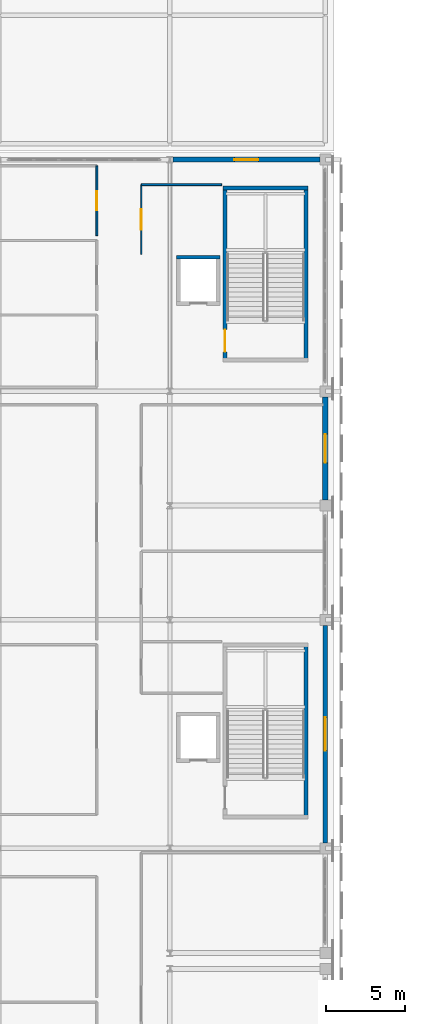
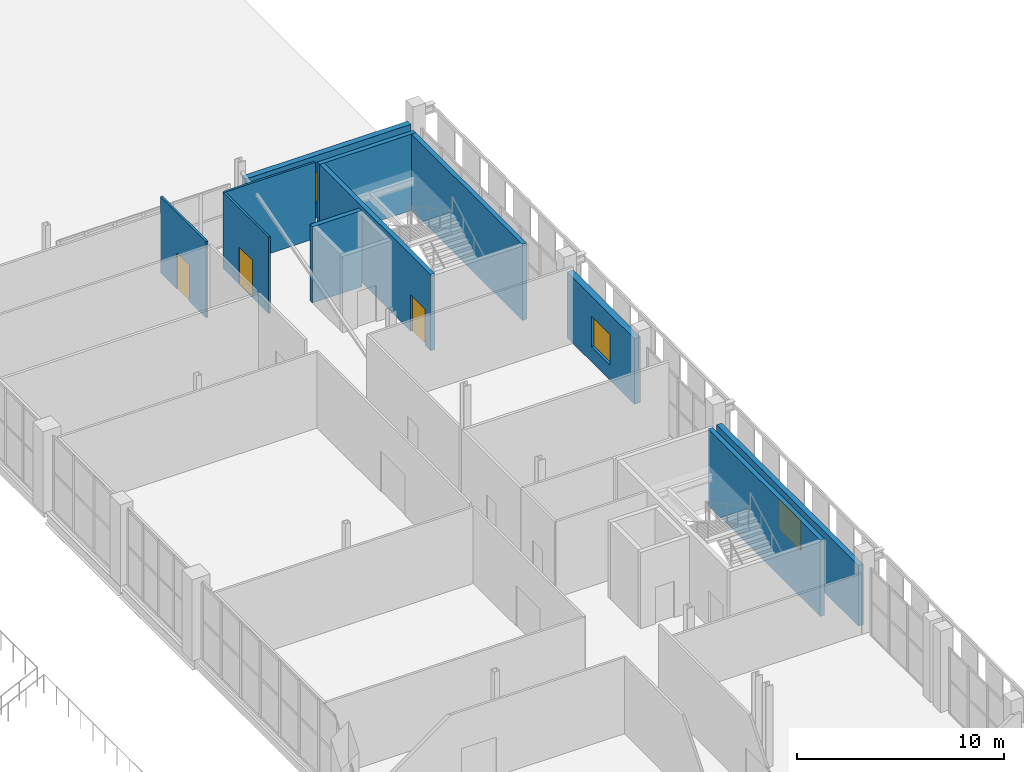
# One storey, part 72 of 104: 11 walls, 3 doors, 3 windows, 6 openings.
"""IFC4 building model written with IfcOpenShell, lengths in metres."""

from ifc_helpers import new_model, si_unit, direction, frame, frame_2d, origin, place, context, subcontext, project, spatial, rectangle, extrude, material, layer, layer_set, type_object, element, fill, save


model = new_model("IFC4")

# Units and contexts
model_context = context("Model", 3, precision=1e-05, world=origin(), true_north=direction((0.0, 1.0)))
body_context = subcontext(model_context, "Body", "Model", "MODEL_VIEW")
ifc_project = project(units=[si_unit("LENGTHUNIT", "METRE"), si_unit("AREAUNIT", "SQUARE_METRE"), si_unit("VOLUMEUNIT", "CUBIC_METRE"), si_unit("PLANEANGLEUNIT", "RADIAN"), si_unit("MASSUNIT", "GRAM", prefix="KILO")], contexts=[model_context])

# Site, building, storey
site_placement = place(None, origin())
site = spatial("IfcSite", under=ifc_project, at=site_placement, CompositionType="ELEMENT")
building_placement = place(site_placement, origin())
building = spatial("IfcBuilding", under=site, at=building_placement, Name="Koshinbarg Plaza Stadium", CompositionType="ELEMENT")
storey_placement = place(building_placement, frame((0.0, 0.0, 19.800048828125)))
storey = spatial("IfcBuildingStorey", under=building, at=storey_placement, Name="L04", CompositionType="ELEMENT", Elevation=19.800048828125)

# Walls
ifc_material_1 = material(Name="Concrete C40/50", Category="concrete")
ifc_layer_1 = layer(ifc_material_1, 0.25)
ifc_layer_set_1 = layer_set([ifc_layer_1], Name="Concrete C40/50")
wall_type_1 = type_object("IfcWallType", Name="WL-CORE-250", PredefinedType="SHEAR", material=ifc_layer_set_1)
wall_1_placement = place(storey_placement, frame((217.195068359375, 85.074951171875, 0.0), z_axis=(0.0, 0.0, 1.0), x_axis=(0.0, 1.0, 0.0)))
element("IfcWall", 1, at=wall_1_placement, inside=storey, type_object=wall_type_1, Name="L04 core stair shear wall C09-right IWL-L04-0229", PredefinedType="SHEAR", context=body_context, shape_type="SweptSolid", body=[
    extrude(rectangle(XDim=10.85009765625, YDim=0.25, at=frame_2d((5.425048828125, 0.0))), origin(), (0.0, 0.0, 1.0), 4.5),
])
wall_2_placement = place(storey_placement, frame((217.320068359375, 124.72509765625, 0.0), z_axis=(0.0, 0.0, 1.0), x_axis=(-1.0, 0.0, 0.0)))
element("IfcWall", 2, at=wall_2_placement, inside=storey, type_object=wall_type_1, Name="L04 core stair shear wall C10-far IWL-L04-0251", PredefinedType="SHEAR", context=body_context, shape_type="SweptSolid", body=[
    extrude(rectangle(XDim=5.3701171875, YDim=0.25, at=frame_2d((2.68505859375, 0.0))), origin(), (0.0, 0.0, 1.0), 4.5),
])

# Wall, opening, door
wall_3_placement = place(storey_placement, frame((212.074951171875, 113.875, 0.0), z_axis=(0.0, 0.0, 1.0), x_axis=(0.0, 1.0, 0.0)))
wall_3 = element("IfcWall", 3, at=wall_3_placement, inside=storey, type_object=wall_type_1, Name="L04 core stair shear wall C10-left IWL-L04-0252", PredefinedType="SHEAR", context=body_context, shape_type="SweptSolid", body=[
    extrude(rectangle(XDim=10.85009765625, YDim=0.25, at=frame_2d((5.425048828125, 0.0))), origin(), (0.0, 0.0, 1.0), 4.5),
])
opening_1_placement = place(wall_3_placement, frame((0.52001953125, 0.0, 0.0)))
opening_1 = element("IfcOpeningElement", 4, at=opening_1_placement, cuts=wall_3, Name="Opening D-0125", PredefinedType="OPENING", context=body_context, shape_type="SweptSolid", body=[
    extrude(rectangle(XDim=1.39990234375, YDim=2.14990234375, at=frame_2d((0.699951171875, 1.074951171875))), frame((0.0, 0.135009765625, 0.0), z_axis=(0.0, -1.0, 0.0), x_axis=(1.0, 0.0, 0.0)), (0.0, 0.0, 1.0), 0.27001953125),
])
ifc_material_2 = material(Name="Painted galvanized steel fire door", Category="steel")
door_type_1 = type_object("IfcDoorType", Name="DR-STAIR-1400", OperationType="NOTDEFINED", PredefinedType="DOOR", material=ifc_material_2)
door_1_placement = place(opening_1_placement, frame((1.39990234375, 0.0, 0.0), z_axis=(0.0, 0.0, 1.0), x_axis=(-1.0, 0.0, 0.0)))
door_1 = element("IfcDoor", 5, at=door_1_placement, inside=storey, type_object=door_type_1, Name="L04 exit stair door C10", OperationType="SINGLE_SWING_LEFT", OverallHeight=2.14990234375, OverallWidth=1.39990234375, PredefinedType="DOOR", context=body_context, shape_type="SweptSolid", body=[
    extrude(rectangle(XDim=1.39990234375, YDim=2.14990234375, at=frame_2d((0.699951171875, 1.074951171875))), frame((0.0, 0.02490234375, 0.0), z_axis=(0.0, -1.0, 0.0), x_axis=(1.0, 0.0, 0.0)), (0.0, 0.0, 1.0), 0.050048828125),
])
fill(opening_1, door_1)

# Walls
wall_4_placement = place(storey_placement, frame((217.195068359375, 113.875, 0.0), z_axis=(0.0, 0.0, 1.0), x_axis=(0.0, 1.0, 0.0)))
element("IfcWall", 6, at=wall_4_placement, inside=storey, type_object=wall_type_1, Name="L04 core stair shear wall C10-right IWL-L04-0253", PredefinedType="SHEAR", context=body_context, shape_type="SweptSolid", body=[
    extrude(rectangle(XDim=10.85009765625, YDim=0.25, at=frame_2d((5.425048828125, 0.0))), origin(), (0.0, 0.0, 1.0), 4.5),
])
wall_5_placement = place(storey_placement, frame((211.77490234375, 120.35009765625, 0.0), z_axis=(0.0, 0.0, 1.0), x_axis=(-1.0, 0.0, 0.0)))
element("IfcWall", 7, at=wall_5_placement, inside=storey, type_object=wall_type_1, Name="L04 lift shaft shear wall LP06-N IWL-L04-0951", PredefinedType="SHEAR", context=body_context, shape_type="SweptSolid", body=[
    extrude(rectangle(XDim=2.75, YDim=0.25, at=frame_2d((1.375, 0.0))), origin(), (0.0, 0.0, 1.0), 4.5),
])

# Wall, opening, window
ifc_material_3 = material(Name="Terracotta-ochre mineral plaster insulated wall", Category="masonry")
ifc_layer_2 = layer(ifc_material_3, 0.280029296875)
ifc_layer_set_2 = layer_set([ifc_layer_2], Name="Terracotta-ochre mineral plaster insulated wall")
wall_type_2 = type_object("IfcWallType", Name="WL-EXT-280", PredefinedType="SOLIDWALL", material=ifc_layer_set_2)
wall_6_placement = place(storey_placement, frame((218.39990234375, 97.155029296875, 0.0), z_axis=(0.0, 0.0, 1.0), x_axis=(0.0, -1.0, 0.0)))
wall_6 = element("IfcWall", 8, at=wall_6_placement, inside=storey, type_object=wall_type_2, Name="L04 exterior envelope wall EWL-L04-0212", PredefinedType="SOLIDWALL", context=body_context, shape_type="SweptSolid", body=[
    extrude(rectangle(XDim=13.7099609375, YDim=0.280029296875, at=frame_2d((6.85498046875, 0.0))), origin(), (0.0, 0.0, 1.0), 3.579833984375),
])
opening_2_placement = place(wall_6_placement, frame((5.804931640625, 0.0, 0.89990234375)))
opening_2 = element("IfcOpeningElement", 9, at=opening_2_placement, cuts=wall_6, Name="Opening WN10", PredefinedType="OPENING", context=body_context, shape_type="SweptSolid", body=[
    extrude(rectangle(XDim=2.10009765625, YDim=1.800048828125, at=frame_2d((1.050048828125, 0.89990234375))), frame((0.0, 0.14990234375, 0.0), z_axis=(0.0, -1.0, 0.0), x_axis=(1.0, 0.0, 0.0)), (0.0, 0.0, 1.0), 0.300048828125),
])
ifc_material_4 = material(Name="Solar-control double glazing in thermally broken aluminium frame", Category="aluminium")
window_type_1 = type_object("IfcWindowType", Name="WN-FAC-10", PartitioningType="DOUBLE_PANEL_VERTICAL", PredefinedType="WINDOW", material=ifc_material_4)
window_1_placement = place(opening_2_placement, origin())
window_1 = element("IfcWindow", 10, at=window_1_placement, inside=storey, type_object=window_type_1, Name="L04 facade window 0144", OverallHeight=1.800048828125, OverallWidth=2.10009765625, PartitioningType="SINGLE_PANEL", PredefinedType="WINDOW", context=body_context, shape_type="SweptSolid", body=[
    extrude(rectangle(XDim=2.10009765625, YDim=1.800048828125, at=frame_2d((1.050048828125, 0.89990234375))), frame((0.0, 0.030029296875, 0.0), z_axis=(0.0, -1.0, 0.0), x_axis=(1.0, 0.0, 0.0)), (0.0, 0.0, 1.0), 0.06005859375),
])
fill(opening_2, window_1)

ifc_material_5 = material(Name="Ultramarine-blue pigmented mineral plaster facade wall", Category="masonry")
ifc_layer_3 = layer(ifc_material_5, 0.320068359375)
ifc_layer_set_3 = layer_set([ifc_layer_3], Name="Ultramarine-blue pigmented mineral plaster facade wall")
wall_type_3 = type_object("IfcWallType", Name="WL-EXT-320", PredefinedType="SOLIDWALL", material=ifc_layer_set_3)
wall_7_placement = place(storey_placement, frame((208.79248046875, 126.5, 0.0), z_axis=(0.0, 0.0, 1.0), x_axis=(1.0, 0.0, 0.0)))
wall_7 = element("IfcWall", 11, at=wall_7_placement, inside=storey, type_object=wall_type_3, Name="L04 exterior envelope wall EWL-L04-0210", PredefinedType="SOLIDWALL", context=body_context, shape_type="SweptSolid", body=[
    extrude(rectangle(XDim=9.262451171875, YDim=0.320068359375, at=frame_2d((4.63134765625, 0.0))), origin(), (0.0, 0.0, 1.0), 3.679931640625),
])
opening_3_placement = place(wall_7_placement, frame((3.88134765625, 0.0, 0.89990234375)))
opening_3 = element("IfcOpeningElement", 12, at=opening_3_placement, cuts=wall_7, Name="Opening WN08", PredefinedType="OPENING", context=body_context, shape_type="SweptSolid", body=[
    extrude(rectangle(XDim=1.5, YDim=1.800048828125, at=frame_2d((0.75, 0.89990234375))), frame((0.0, 0.169921875, 0.0), z_axis=(0.0, -1.0, 0.0), x_axis=(1.0, 0.0, 0.0)), (0.0, 0.0, 1.0), 0.340087890625),
])
window_type_2 = type_object("IfcWindowType", Name="WN-FAC-08", PartitioningType="DOUBLE_PANEL_VERTICAL", PredefinedType="WINDOW", material=ifc_material_4)
window_2_placement = place(opening_3_placement, origin())
window_2 = element("IfcWindow", 13, at=window_2_placement, inside=storey, type_object=window_type_2, Name="L04 facade window 0142", OverallHeight=1.800048828125, OverallWidth=1.5, PartitioningType="SINGLE_PANEL", PredefinedType="WINDOW", context=body_context, shape_type="SweptSolid", body=[
    extrude(rectangle(XDim=1.5, YDim=1.800048828125, at=frame_2d((0.75, 0.89990234375))), frame((0.0, 0.030029296875, 0.0), z_axis=(0.0, -1.0, 0.0), x_axis=(1.0, 0.0, 0.0)), (0.0, 0.0, 1.0), 0.06005859375),
])
fill(opening_3, window_2)

ifc_material_6 = material(Name="Acoustic insulated masonry stadium wall", Category="masonry")
ifc_layer_4 = layer(ifc_material_6, 0.35009765625)
ifc_layer_set_4 = layer_set([ifc_layer_4], Name="Acoustic insulated masonry stadium wall")
wall_type_4 = type_object("IfcWallType", Name="WL-EXT-350", PredefinedType="SOLIDWALL", material=ifc_layer_set_4)
wall_8_placement = place(storey_placement, frame((218.39990234375, 111.554931640625, 0.0), z_axis=(0.0, 0.0, 1.0), x_axis=(0.0, -1.0, 0.0)))
wall_8 = element("IfcWall", 14, at=wall_8_placement, inside=storey, type_object=wall_type_4, Name="L04 exterior envelope wall EWL-L04-0211", PredefinedType="SOLIDWALL", context=body_context, shape_type="SweptSolid", body=[
    extrude(rectangle(XDim=6.510009765625, YDim=0.35009765625, at=frame_2d((3.2548828125, 0.0))), origin(), (0.0, 0.0, 1.0), 3.8798828125),
])
opening_4_placement = place(wall_8_placement, frame((2.35498046875, 0.0, 0.89990234375)))
opening_4 = element("IfcOpeningElement", 15, at=opening_4_placement, cuts=wall_8, Name="Opening WN09", PredefinedType="OPENING", context=body_context, shape_type="SweptSolid", body=[
    extrude(rectangle(XDim=1.800048828125, YDim=1.800048828125, at=frame_2d((0.89990234375, 0.89990234375))), frame((0.0, 0.18505859375, 0.0), z_axis=(0.0, -1.0, 0.0), x_axis=(1.0, 0.0, 0.0)), (0.0, 0.0, 1.0), 0.3701171875),
])
window_type_3 = type_object("IfcWindowType", Name="WN-FAC-09", PartitioningType="DOUBLE_PANEL_VERTICAL", PredefinedType="WINDOW", material=ifc_material_4)
window_3_placement = place(opening_4_placement, origin())
window_3 = element("IfcWindow", 16, at=window_3_placement, inside=storey, type_object=window_type_3, Name="L04 facade window 0143", OverallHeight=1.800048828125, OverallWidth=1.800048828125, PartitioningType="SINGLE_PANEL", PredefinedType="WINDOW", context=body_context, shape_type="SweptSolid", body=[
    extrude(rectangle(XDim=1.800048828125, YDim=1.800048828125, at=frame_2d((0.89990234375, 0.89990234375))), frame((0.0, 0.030029296875, 0.0), z_axis=(0.0, -1.0, 0.0), x_axis=(1.0, 0.0, 0.0)), (0.0, 0.0, 1.0), 0.06005859375),
])
fill(opening_4, window_3)

# Wall, opening, door
ifc_material_7 = material(Name="Gypsum board metal-stud acoustic partition")
ifc_layer_5 = layer(ifc_material_7, 0.1201171875)
ifc_layer_set_5 = layer_set([ifc_layer_5], Name="Gypsum board metal-stud acoustic partition")
wall_type_5 = type_object("IfcWallType", Name="WL-PART-120", PredefinedType="PARTITIONING", material=ifc_layer_set_5)
wall_9_placement = place(storey_placement, frame((204.0, 121.70751953125, 0.0), z_axis=(0.0, 0.0, 1.0), x_axis=(0.0, 1.0, 0.0)))
wall_9 = element("IfcWall", 17, at=wall_9_placement, inside=storey, type_object=wall_type_5, Name="L04 interior partition L04-81-east IWL-L04-2213", PredefinedType="PARTITIONING", context=body_context, shape_type="SweptSolid", body=[
    extrude(rectangle(XDim=4.3974609375, YDim=0.1201171875, at=frame_2d((2.19873046875, 0.0))), origin(), (0.0, 0.0, 1.0), 4.5),
])
opening_5_placement = place(wall_9_placement, frame((1.5986328125, 0.0, 0.0)))
opening_5 = element("IfcOpeningElement", 18, at=opening_5_placement, cuts=wall_9, Name="Opening D-0764", PredefinedType="OPENING", context=body_context, shape_type="SweptSolid", body=[
    extrude(rectangle(XDim=1.199951171875, YDim=2.14990234375, at=frame_2d((0.60009765625, 1.074951171875))), frame((0.0, 0.070068359375, 0.0), z_axis=(0.0, -1.0, 0.0), x_axis=(1.0, 0.0, 0.0)), (0.0, 0.0, 1.0), 0.14013671875),
])
ifc_material_8 = material(Name="Solid-core hardwood leaf in painted steel frame", Category="steel")
door_type_2 = type_object("IfcDoorType", Name="DR-INT-1200x2150", OperationType="NOTDEFINED", PredefinedType="DOOR", material=ifc_material_8)
door_2_placement = place(opening_5_placement, origin())
door_2 = element("IfcDoor", 19, at=door_2_placement, inside=storey, type_object=door_type_2, Name="L04 East Skybox Suite door D-0764", OperationType="SINGLE_SWING_RIGHT", OverallHeight=2.14990234375, OverallWidth=1.199951171875, PredefinedType="DOOR", context=body_context, shape_type="SweptSolid", body=[
    extrude(rectangle(XDim=1.199951171875, YDim=2.14990234375, at=frame_2d((0.60009765625, 1.074951171875))), frame((0.0, 0.02490234375, 0.0), z_axis=(0.0, -1.0, 0.0), x_axis=(1.0, 0.0, 0.0)), (0.0, 0.0, 1.0), 0.050048828125),
])
fill(opening_5, door_2)

# Wall
wall_10_placement = place(storey_placement, frame((211.8701171875, 124.929931640625, 0.0), z_axis=(0.0, 0.0, 1.0), x_axis=(-1.0, 0.0, 0.0)))
element("IfcWall", 20, at=wall_10_placement, inside=storey, type_object=wall_type_5, Name="L04 interior partition L04-82-north IWL-L04-2216", PredefinedType="PARTITIONING", context=body_context, shape_type="SweptSolid", body=[
    extrude(rectangle(XDim=5.070068359375, YDim=0.1201171875, at=frame_2d((2.53515625, 0.0))), origin(), (0.0, 0.0, 1.0), 4.5),
])

# Wall, opening, door
wall_11_placement = place(storey_placement, frame((206.800048828125, 124.929931640625, 0.0), z_axis=(0.0, 0.0, 1.0), x_axis=(0.0, -1.0, 0.0)))
wall_11 = element("IfcWall", 21, at=wall_11_placement, inside=storey, type_object=wall_type_5, Name="L04 interior partition L04-82-west IWL-L04-2217", PredefinedType="PARTITIONING", context=body_context, shape_type="SweptSolid", body=[
    extrude(rectangle(XDim=4.39990234375, YDim=0.1201171875, at=frame_2d((2.199951171875, 0.0))), origin(), (0.0, 0.0, 1.0), 4.5),
])
opening_6_placement = place(wall_11_placement, frame((1.550048828125, 0.0, 0.0)))
opening_6 = element("IfcOpeningElement", 22, at=opening_6_placement, cuts=wall_11, Name="Opening D-0765", PredefinedType="OPENING", context=body_context, shape_type="SweptSolid", body=[
    extrude(rectangle(XDim=1.300048828125, YDim=2.199951171875, at=frame_2d((0.64990234375, 1.10009765625))), frame((0.0, 0.070068359375, 0.0), z_axis=(0.0, -1.0, 0.0), x_axis=(1.0, 0.0, 0.0)), (0.0, 0.0, 1.0), 0.14013671875),
])
ifc_material_9 = material(Name="Thermally broken anodised aluminium glazed door", Category="aluminium")
door_type_3 = type_object("IfcDoorType", Name="DR-INT-1300x2200", OperationType="NOTDEFINED", PredefinedType="DOOR", material=ifc_material_9)
door_3_placement = place(opening_6_placement, origin())
door_3 = element("IfcDoor", 23, at=door_3_placement, inside=storey, type_object=door_type_3, Name="L04 East Skybox Suite door D-0765", OperationType="SINGLE_SWING_LEFT", OverallHeight=2.199951171875, OverallWidth=1.300048828125, PredefinedType="DOOR", context=body_context, shape_type="SweptSolid", body=[
    extrude(rectangle(XDim=1.300048828125, YDim=2.199951171875, at=frame_2d((0.64990234375, 1.10009765625))), frame((0.0, 0.02490234375, 0.0), z_axis=(0.0, -1.0, 0.0), x_axis=(1.0, 0.0, 0.0)), (0.0, 0.0, 1.0), 0.050048828125),
])
fill(opening_6, door_3)

save(model, "model.ifc")
